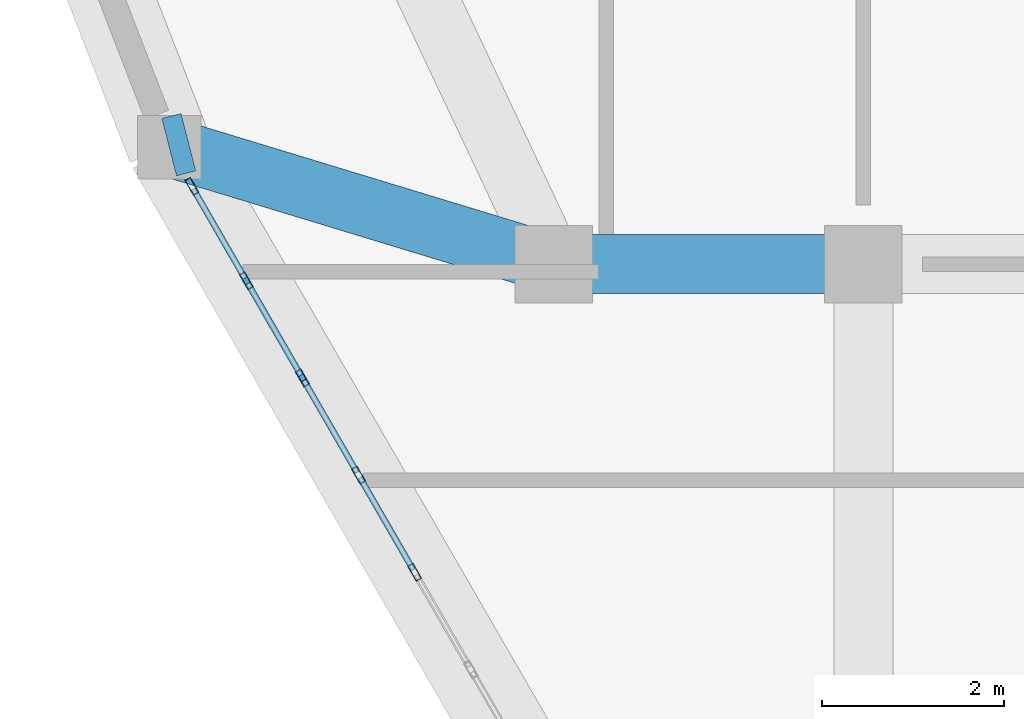
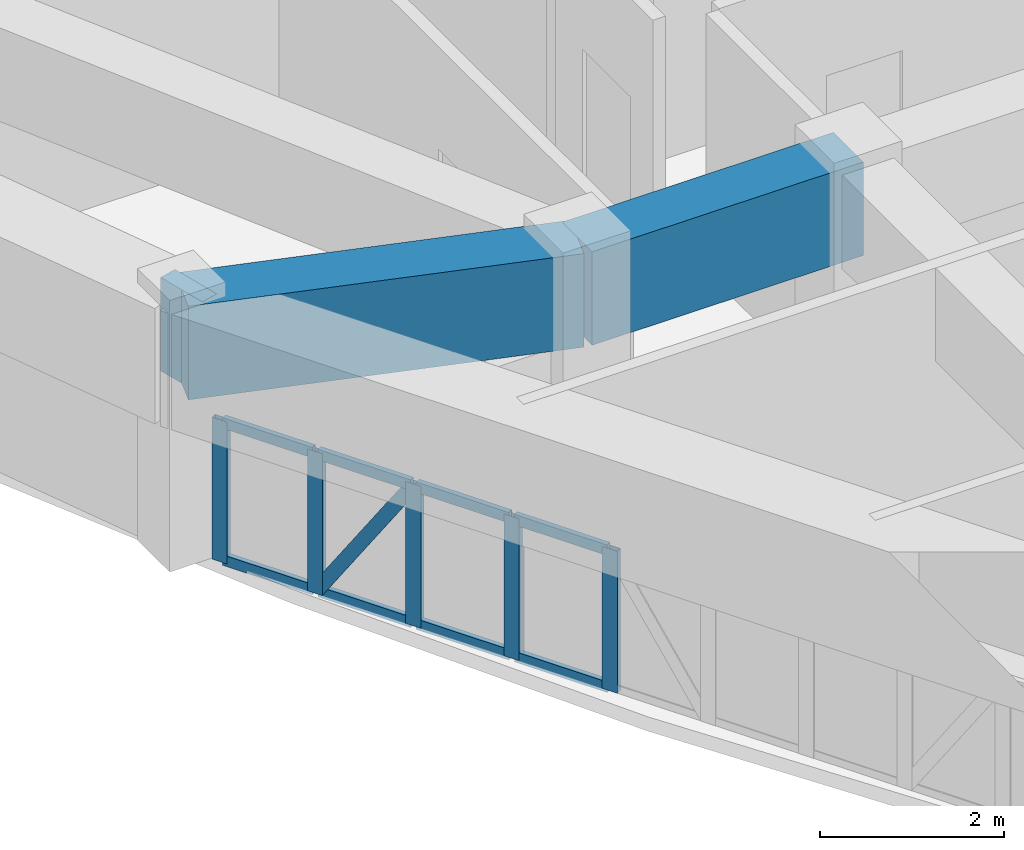
# One storey, part 5 of 15: 14 members, 3 beams, 1 element without a shape of its own.
"""IFC4 building model written with IfcOpenShell, lengths in metres."""

from ifc_helpers import new_model, si_unit, derived_unit, direction, frame, origin, origin_2d, place, context, subcontext, project, spatial, rectangle, hollow_rectangle, extrude, source, transform, mapped, material, layer, layer_set, material_profile, profile_set, type_object, element, aggregate, save


model = new_model("IFC4")

# Units and contexts
model_context = context("Model", 3, precision=1e-05, world=origin(), true_north=direction((0.0, 1.0)))
body_context = subcontext(model_context, "Body", "Model", "MODEL_VIEW")
ifc_project = project(units=[si_unit("LENGTHUNIT", "METRE"), si_unit("AREAUNIT", "SQUARE_METRE"), si_unit("VOLUMEUNIT", "CUBIC_METRE"), si_unit("PLANEANGLEUNIT", "RADIAN"), si_unit("MASSUNIT", "GRAM", prefix="KILO"), derived_unit("THERMALTRANSMITTANCEUNIT", [(si_unit("POWERUNIT", "WATT"), 1), (si_unit("LENGTHUNIT", "METRE"), -2), (si_unit("THERMODYNAMICTEMPERATUREUNIT", "KELVIN"), -1)])], contexts=[model_context])

# Site, building, storey
site_placement = place(None, origin())
site = spatial("IfcSite", under=ifc_project, at=site_placement, CompositionType="ELEMENT")
building_placement = place(site_placement, origin())
building = spatial("IfcBuilding", under=site, at=building_placement, Name="Korsvarv Bourse and Concert Hall", CompositionType="ELEMENT")
storey_placement = place(building_placement, frame((0.0, 0.0, 250.199951171875)))
storey = spatial("IfcBuildingStorey", under=building, at=storey_placement, Name="L65", CompositionType="ELEMENT", Elevation=250.199951171875)

# Beams
ifc_material_1 = material(Name="Concrete C50/60", Category="concrete")
ifc_material_profile_1 = material_profile(ifc_material_1, rectangle(XDim=0.64990234375, YDim=1.239990234375, at=origin_2d()), Name="RC-BM 650x1240")
ifc_profile_set_1 = profile_set([ifc_material_profile_1], Name="Concrete C50/60")
beam_type = type_object("IfcBeamType", Name="BM-TR-SPN", PredefinedType="BEAM", material=ifc_profile_set_1)
shared_shape_1 = source(origin(), body_context, "Body", "SweptSolid", [
    extrude(rectangle(XDim=0.64990234375, YDim=1.239990234375, at=origin_2d()), origin(), (0.0, 0.0, 1.0), 3.400146484375),
])
beam_1_placement = place(storey_placement, frame((24.199951171875, 32.39990234375, 2.7900390625), z_axis=(1.0, 0.0, 0.0), x_axis=(0.0, 1.0, 0.0)))
element("IfcBeam", 1, at=beam_1_placement, inside=storey, type_object=beam_type, Name="L65 beam B-TRS", PredefinedType="BEAM", context=body_context, shape_type="MappedRepresentation", body=[
    mapped(shared_shape_1, transform((0.0, 0.0, 0.0), scale=1.0)),
])
shared_shape_2 = source(origin(), body_context, "Body", "SweptSolid", [
    extrude(rectangle(XDim=0.64990234375, YDim=1.239990234375, at=origin_2d()), origin(), (0.0, 0.0, 1.0), 4.411865234375),
])
beam_2_placement = place(storey_placement, frame((19.97900390625, 33.68359375, 2.7900390625), z_axis=(0.956733506354, -0.290965629962, 0.0), x_axis=(0.290965629962, 0.956733506354, 0.0)))
element("IfcBeam", 2, at=beam_2_placement, inside=storey, type_object=beam_type, Name="L65 beam B-TRS", PredefinedType="BEAM", context=body_context, shape_type="MappedRepresentation", body=[
    mapped(shared_shape_2, transform((0.0, 0.0, 0.0), scale=1.0)),
])
shared_shape_3 = source(origin(), body_context, "Body", "SweptSolid", [
    extrude(rectangle(XDim=0.64990234375, YDim=1.239990234375, at=origin_2d()), origin(), (0.0, 0.0, 1.0), 0.218017578125),
])
beam_3_placement = place(storey_placement, frame((19.97900390625, 33.68359375, 2.7900390625), z_axis=(0.968608578466, 0.248590872161, 0.0), x_axis=(-0.248590872161, 0.968608578466, 0.0)))
element("IfcBeam", 3, at=beam_3_placement, inside=storey, type_object=beam_type, Name="L65 beam B-TRS", PredefinedType="BEAM", context=body_context, shape_type="MappedRepresentation", body=[
    mapped(shared_shape_3, transform((0.0, 0.0, 0.0), scale=1.0)),
])

# Curtain wall, members
ifc_material_2 = material(Name="Anodised aluminium and triple low-E glazing", Category="glass")
ifc_layer = layer(ifc_material_2, 0.199951171875)
ifc_layer_set = layer_set([ifc_layer], Name="Anodised aluminium and triple low-E glazing")
curtain_wall_type = type_object("IfcCurtainWallType", Name="CW-SYS-3", PredefinedType="NOTDEFINED", material=ifc_layer_set)
curtain_wall_placement = place(storey_placement, origin())
curtain_wall = element("IfcCurtainWall", 4, at=curtain_wall_placement, inside=storey, type_object=curtain_wall_type, Name="L65 CW3 curtain wall CW-L65-F07", PredefinedType="NOTDEFINED")
ifc_material_3 = material(Name="Extruded aluminium EN AW-6063 T66", Category="aluminium")
ifc_material_profile_2 = material_profile(ifc_material_3, hollow_rectangle(XDim=0.070068359375, YDim=0.18994140625, WallThickness=0.0048828125, at=origin_2d()), Name="ALU-M 70x190")
ifc_profile_set_2 = profile_set([ifc_material_profile_2], Name="Extruded aluminium EN AW-6063 T66")
member_type_1 = type_object("IfcMemberType", Name="CWM-190", PredefinedType="MULLION", material=ifc_profile_set_2)
shared_shape_4 = source(origin(), body_context, "Body", "SweptSolid", [
    extrude(hollow_rectangle(XDim=0.070068359375, YDim=0.18994140625, WallThickness=0.0048828125, at=origin_2d()), origin(), (0.0, 0.0, 1.0), 1.880126953125),
])
member_1_placement = place(storey_placement, frame((20.2275390625, 33.253173828125, 0.0), z_axis=(0.0, 0.0, 1.0), x_axis=(0.866021686907, 0.500006437765, 0.0)))
member_1 = element("IfcMember", 5, at=member_1_placement, type_object=member_type_1, Name="CW3 mullion 1", PredefinedType="MULLION", context=body_context, shape_type="MappedRepresentation", body=[
    mapped(shared_shape_4, transform((0.0, 0.0, 0.0), scale=1.0)),
])
member_2_placement = place(storey_placement, frame((20.825927734375, 32.217041015625, 0.0), z_axis=(0.0, 0.0, 1.0), x_axis=(0.866021686907, 0.500006437765, 0.0)))
member_2 = element("IfcMember", 6, at=member_2_placement, type_object=member_type_1, Name="CW3 mullion 2", PredefinedType="MULLION", context=body_context, shape_type="MappedRepresentation", body=[
    mapped(shared_shape_4, transform((0.0, 0.0, 0.0), scale=1.0)),
])
member_3_placement = place(storey_placement, frame((21.441650390625, 31.150390625, 0.0), z_axis=(0.0, 0.0, 1.0), x_axis=(0.866021686907, 0.500006437765, 0.0)))
member_3 = element("IfcMember", 7, at=member_3_placement, type_object=member_type_1, Name="CW3 mullion 3", PredefinedType="MULLION", context=body_context, shape_type="MappedRepresentation", body=[
    mapped(shared_shape_4, transform((0.0, 0.0, 0.0), scale=1.0)),
])
member_4_placement = place(storey_placement, frame((22.0576171875, 30.083740234375, 0.0), z_axis=(0.0, 0.0, 1.0), x_axis=(0.866021686907, 0.500006437765, 0.0)))
member_4 = element("IfcMember", 8, at=member_4_placement, type_object=member_type_1, Name="CW3 mullion 4", PredefinedType="MULLION", context=body_context, shape_type="MappedRepresentation", body=[
    mapped(shared_shape_4, transform((0.0, 0.0, 0.0), scale=1.0)),
])
member_5_placement = place(storey_placement, frame((22.67333984375, 29.01708984375, 0.0), z_axis=(0.0, 0.0, 1.0), x_axis=(0.866021686907, 0.500006437765, 0.0)))
member_5 = element("IfcMember", 9, at=member_5_placement, type_object=member_type_1, Name="CW3 mullion 5", PredefinedType="MULLION", context=body_context, shape_type="MappedRepresentation", body=[
    mapped(shared_shape_4, transform((0.0, 0.0, 0.0), scale=1.0)),
])
ifc_material_profile_3 = material_profile(ifc_material_3, hollow_rectangle(XDim=0.06494140625, YDim=0.139892578125, WallThickness=0.00390625, at=origin_2d()), Name="ALU-T 65x140")
ifc_profile_set_3 = profile_set([ifc_material_profile_3], Name="Extruded aluminium EN AW-6063 T66")
member_type_2 = type_object("IfcMemberType", Name="CWT-140", PredefinedType="USERDEFINED", material=ifc_profile_set_3)
shared_shape_5 = source(origin(), body_context, "Body", "SweptSolid", [
    extrude(hollow_rectangle(XDim=0.06494140625, YDim=0.139892578125, WallThickness=0.00390625, at=origin_2d()), origin(), (0.0, 0.0, 1.0), 1.12646484375),
])
member_6_placement = place(storey_placement, frame((20.2451171875, 33.222900390625, 0.032470703125), z_axis=(0.499985098601, -0.86603400694, 0.0), x_axis=(0.86603400694, 0.499985098601, 0.0)))
member_6 = element("IfcMember", 10, at=member_6_placement, type_object=member_type_2, Name="CW3 transom 1.1", ObjectType="TRANSOM", PredefinedType="USERDEFINED", context=body_context, shape_type="MappedRepresentation", body=[
    mapped(shared_shape_5, transform((0.0, 0.0, 0.0), scale=1.0)),
])
member_7_placement = place(storey_placement, frame((20.2451171875, 33.222900390625, 1.84765625), z_axis=(0.499985098601, -0.86603400694, 0.0), x_axis=(0.86603400694, 0.499985098601, 0.0)))
member_7 = element("IfcMember", 11, at=member_7_placement, type_object=member_type_2, Name="CW3 transom 1.2", ObjectType="TRANSOM", PredefinedType="USERDEFINED", context=body_context, shape_type="MappedRepresentation", body=[
    mapped(shared_shape_5, transform((0.0, 0.0, 0.0), scale=1.0)),
])
shared_shape_6 = source(origin(), body_context, "Body", "SweptSolid", [
    extrude(hollow_rectangle(XDim=0.06494140625, YDim=0.139892578125, WallThickness=0.00390625, at=origin_2d()), origin(), (0.0, 0.0, 1.0), 1.16162109375),
])
member_8_placement = place(storey_placement, frame((20.84326171875, 32.1865234375, 0.032470703125), z_axis=(0.500049955442, -0.865996560076, 0.0), x_axis=(0.865996560076, 0.500049955442, 0.0)))
member_8 = element("IfcMember", 12, at=member_8_placement, type_object=member_type_2, Name="CW3 transom 2.1", ObjectType="TRANSOM", PredefinedType="USERDEFINED", context=body_context, shape_type="MappedRepresentation", body=[
    mapped(shared_shape_6, transform((0.0, 0.0, 0.0), scale=1.0)),
])
member_9_placement = place(storey_placement, frame((20.84326171875, 32.1865234375, 1.84765625), z_axis=(0.500049955442, -0.865996560076, 0.0), x_axis=(0.865996560076, 0.500049955442, 0.0)))
member_9 = element("IfcMember", 13, at=member_9_placement, type_object=member_type_2, Name="CW3 transom 2.2", ObjectType="TRANSOM", PredefinedType="USERDEFINED", context=body_context, shape_type="MappedRepresentation", body=[
    mapped(shared_shape_6, transform((0.0, 0.0, 0.0), scale=1.0)),
])
member_10_placement = place(storey_placement, frame((21.459228515625, 31.119873046875, 0.032470703125), z_axis=(0.500049955442, -0.865996560076, 0.0), x_axis=(0.865996560076, 0.500049955442, 0.0)))
member_10 = element("IfcMember", 14, at=member_10_placement, type_object=member_type_2, Name="CW3 transom 3.1", ObjectType="TRANSOM", PredefinedType="USERDEFINED", context=body_context, shape_type="MappedRepresentation", body=[
    mapped(shared_shape_6, transform((0.0, 0.0, 0.0), scale=1.0)),
])
member_11_placement = place(storey_placement, frame((21.459228515625, 31.119873046875, 1.84765625), z_axis=(0.500049955442, -0.865996560076, 0.0), x_axis=(0.865996560076, 0.500049955442, 0.0)))
member_11 = element("IfcMember", 15, at=member_11_placement, type_object=member_type_2, Name="CW3 transom 3.2", ObjectType="TRANSOM", PredefinedType="USERDEFINED", context=body_context, shape_type="MappedRepresentation", body=[
    mapped(shared_shape_6, transform((0.0, 0.0, 0.0), scale=1.0)),
])
member_12_placement = place(storey_placement, frame((22.074951171875, 30.05322265625, 0.032470703125), z_axis=(0.500049955442, -0.865996560076, 0.0), x_axis=(0.865996560076, 0.500049955442, 0.0)))
member_12 = element("IfcMember", 16, at=member_12_placement, type_object=member_type_2, Name="CW3 transom 4.1", ObjectType="TRANSOM", PredefinedType="USERDEFINED", context=body_context, shape_type="MappedRepresentation", body=[
    mapped(shared_shape_6, transform((0.0, 0.0, 0.0), scale=1.0)),
])
member_13_placement = place(storey_placement, frame((22.074951171875, 30.05322265625, 1.84765625), z_axis=(0.500049955442, -0.865996560076, 0.0), x_axis=(0.865996560076, 0.500049955442, 0.0)))
member_13 = element("IfcMember", 17, at=member_13_placement, type_object=member_type_2, Name="CW3 transom 4.2", ObjectType="TRANSOM", PredefinedType="USERDEFINED", context=body_context, shape_type="MappedRepresentation", body=[
    mapped(shared_shape_6, transform((0.0, 0.0, 0.0), scale=1.0)),
])
ifc_material_profile_4 = material_profile(ifc_material_3, hollow_rectangle(XDim=0.06494140625, YDim=0.1650390625, WallThickness=0.0048828125, at=origin_2d()), Name="ALU-M 65x165")
ifc_profile_set_4 = profile_set([ifc_material_profile_4], Name="Extruded aluminium EN AW-6063 T66")
member_type_3 = type_object("IfcMemberType", Name="CWM-165", PredefinedType="MULLION", material=ifc_profile_set_4)
shared_shape_7 = source(origin(), body_context, "Body", "SweptSolid", [
    extrude(hollow_rectangle(XDim=0.06494140625, YDim=0.1650390625, WallThickness=0.0048828125, at=origin_2d()), origin(), (0.0, 0.0, 1.0), 2.100341796875),
])
member_14_placement = place(storey_placement, frame((20.84326171875, 32.1865234375, 0.06494140625), z_axis=(0.276526480814, -0.478894115575, 0.833182771951), x_axis=(0.865996560076, 0.500049955442, 0.0)))
member_14 = element("IfcMember", 18, at=member_14_placement, type_object=member_type_3, Name="CW3 diagonal mullion 2", PredefinedType="MULLION", context=body_context, shape_type="MappedRepresentation", body=[
    mapped(shared_shape_7, transform((0.0, 0.0, 0.0), scale=1.0)),
])
aggregate(curtain_wall, [member_1, member_2, member_3, member_4, member_5, member_6, member_7, member_8, member_9, member_14, member_10, member_11, member_12, member_13])

save(model, "model.ifc")
